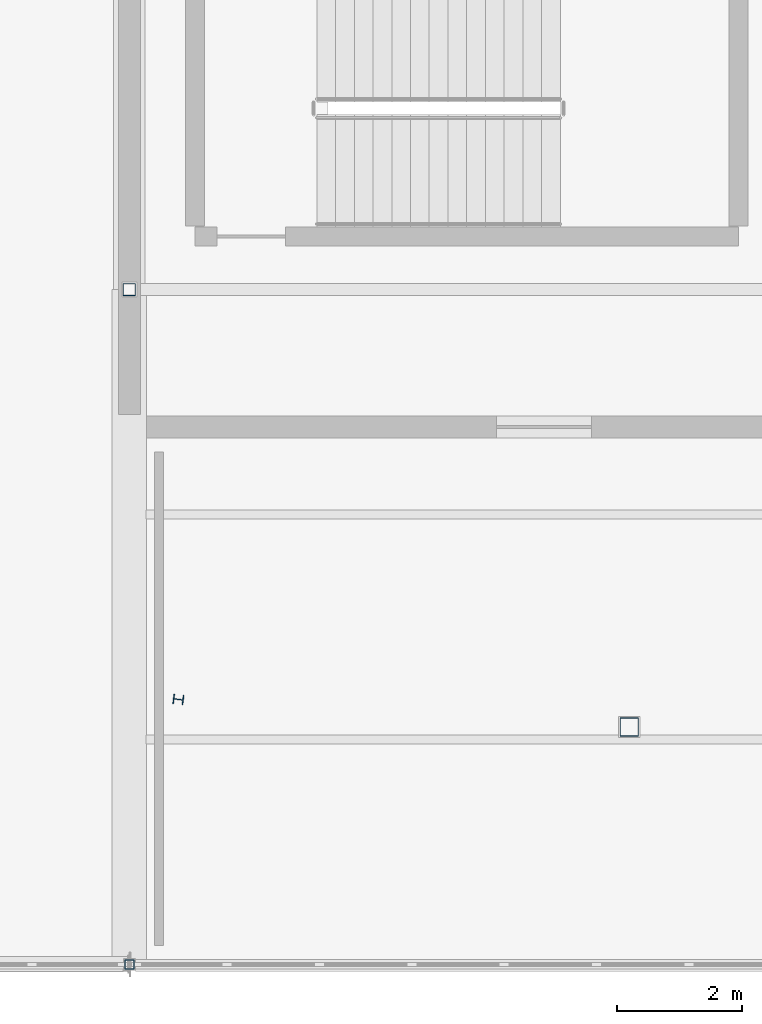
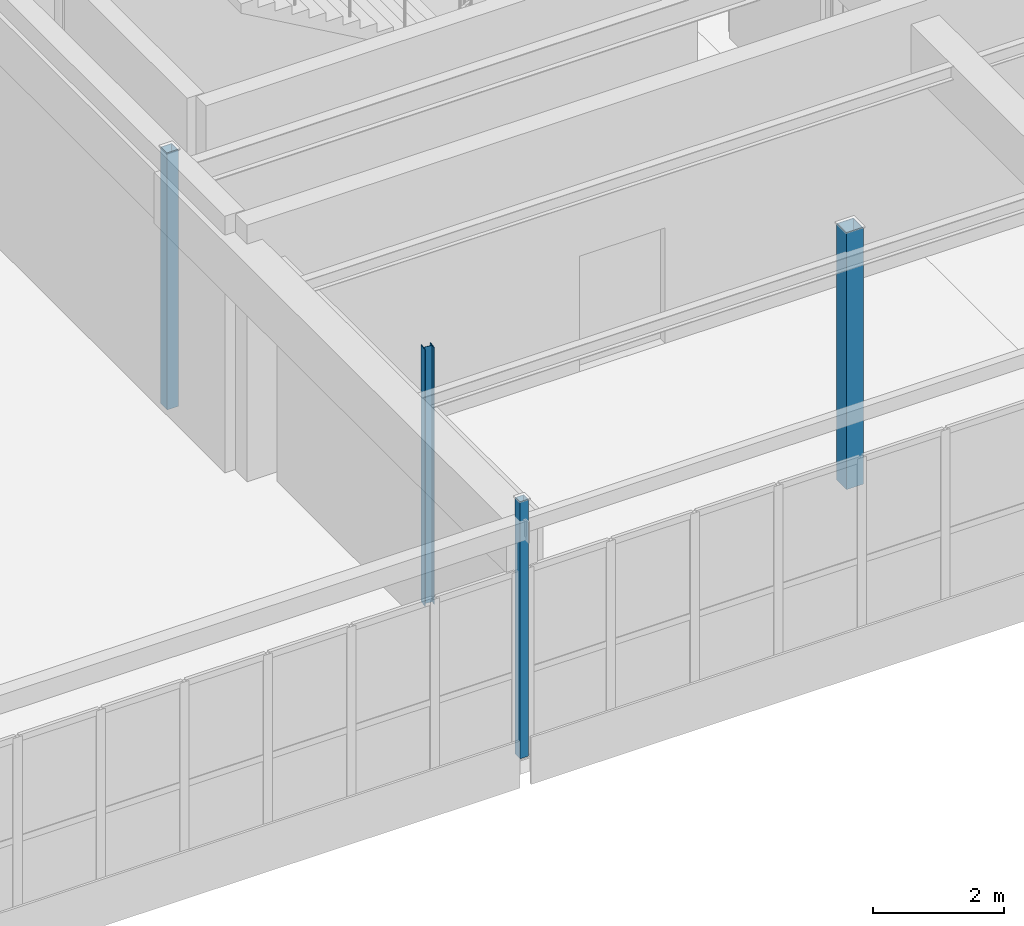
# One storey, part 7 of 226: 4 columns.
"""IFC4 building model written with IfcOpenShell, lengths in metres."""

from ifc_helpers import new_model, si_unit, direction, frame, origin, origin_2d, place, context, subcontext, project, spatial, hollow_rectangle, i_section, extrude, material, material_profile, profile_set, type_object, element, save


model = new_model("IFC4")

# Units and contexts
model_context = context("Model", 3, precision=1e-05, world=origin(), true_north=direction((0.0, 1.0)))
body_context = subcontext(model_context, "Body", "Model", "MODEL_VIEW")
ifc_project = project(units=[si_unit("LENGTHUNIT", "METRE"), si_unit("AREAUNIT", "SQUARE_METRE"), si_unit("VOLUMEUNIT", "CUBIC_METRE"), si_unit("PLANEANGLEUNIT", "RADIAN"), si_unit("MASSUNIT", "GRAM", prefix="KILO")], contexts=[model_context])

# Site, building, storey
site_placement = place(None, origin())
site = spatial("IfcSite", under=ifc_project, at=site_placement, CompositionType="ELEMENT")
building_placement = place(site_placement, origin())
building = spatial("IfcBuilding", under=site, at=building_placement, Name="Tarnwether General Hospital", CompositionType="ELEMENT")
storey_placement = place(building_placement, frame((0.0, 0.0, 4.800048828125)))
storey = spatial("IfcBuildingStorey", under=building, at=storey_placement, Name="L01", CompositionType="ELEMENT", Elevation=4.800048828125)

# Columns
ifc_material_1 = material(Name="Steel Grade C350L0 (350 MPa)", Category="steel")
ifc_material_profile_1 = material_profile(ifc_material_1, hollow_rectangle(XDim=0.199951171875, YDim=0.199951171875, WallThickness=0.010009765625, at=origin_2d()), Name="SHS200x200x10")
ifc_profile_set_1 = profile_set([ifc_material_profile_1], Name="Steel Grade C350L0 (350 MPa)")
column_type_1 = type_object("IfcColumnType", Name="COL-15", PredefinedType="COLUMN", material=ifc_profile_set_1)
column_1_placement = place(storey_placement, frame((84.0, 10.800048828125, 0.0), z_axis=(0.0, 0.0, 1.0), x_axis=(0.0, 1.0, 0.0)))
element("IfcColumn", 1, at=column_1_placement, inside=storey, type_object=column_type_1, Name="Column COLG-L01-8400_1080", PredefinedType="COLUMN", context=body_context, shape_type="SweptSolid", body=[
    extrude(hollow_rectangle(XDim=0.199951171875, YDim=0.199951171875, WallThickness=0.010009765625, at=origin_2d()), origin(), (0.0, 0.0, 1.0), 4.800048828125),
])
ifc_material_2 = material(Name="Steel Grade 350 (350 MPa)", Category="steel")
ifc_material_profile_2 = material_profile(ifc_material_2, i_section(OverallWidth=0.154052734375, OverallDepth=0.162109375, WebThickness=0.008056640625, FlangeThickness=0.011474609375, at=origin_2d()), Name="150UC37.2")
ifc_profile_set_2 = profile_set([ifc_material_profile_2], Name="Steel Grade 350 (350 MPa)")
column_type_2 = type_object("IfcColumnType", Name="COL-28", PredefinedType="COLUMN", material=ifc_profile_set_2)
column_2_placement = place(storey_placement, frame((84.784912109375, 4.240966796875, 0.0), z_axis=(0.0, 0.0, 1.0), x_axis=(0.121869343405, 0.992546151641, 0.0)))
element("IfcColumn", 2, at=column_2_placement, inside=storey, type_object=column_type_2, Name="Column COLG-L01-8478_424", PredefinedType="COLUMN", context=body_context, shape_type="SweptSolid", body=[
    extrude(i_section(OverallWidth=0.154052734375, OverallDepth=0.162109375, WebThickness=0.008056640625, FlangeThickness=0.011474609375, at=origin_2d()), origin(), (0.0, 0.0, 1.0), 4.800048828125),
])
ifc_material_3 = material(Name="Steel Grade C350L0 (350 MPa)", Category="steel")
ifc_material_profile_3 = material_profile(ifc_material_3, hollow_rectangle(XDim=0.300048828125, YDim=0.300048828125, WallThickness=0.012451171875, at=origin_2d()), Name="SHS300x300x12.5")
ifc_profile_set_3 = profile_set([ifc_material_profile_3], Name="Steel Grade C350L0 (350 MPa)")
column_type_3 = type_object("IfcColumnType", Name="COL-30", PredefinedType="COLUMN", material=ifc_profile_set_3)
column_3_placement = place(storey_placement, frame((92.0, 3.800048828125, 0.0), z_axis=(0.0, 0.0, 1.0), x_axis=(0.0, 1.0, 0.0)))
element("IfcColumn", 3, at=column_3_placement, inside=storey, type_object=column_type_3, Name="Column COLG-L01-9200_380", PredefinedType="COLUMN", context=body_context, shape_type="SweptSolid", body=[
    extrude(hollow_rectangle(XDim=0.300048828125, YDim=0.300048828125, WallThickness=0.012451171875, at=origin_2d()), origin(), (0.0, 0.0, 1.0), 4.800048828125),
])
ifc_material_4 = material(Name="Steel Grade C350L0 (350 MPa)", Category="steel")
ifc_material_profile_4 = material_profile(ifc_material_4, hollow_rectangle(XDim=0.14990234375, YDim=0.14990234375, WallThickness=0.008056640625, at=origin_2d()), Name="SHS150x150x8")
ifc_profile_set_4 = profile_set([ifc_material_profile_4], Name="Steel Grade C350L0 (350 MPa)")
column_type_4 = type_object("IfcColumnType", Name="COL-33", PredefinedType="COLUMN", material=ifc_profile_set_4)
column_4_placement = place(storey_placement, frame((84.0, 0.0, 0.0), z_axis=(0.0, 0.0, 1.0), x_axis=(0.0, 1.0, 0.0)))
element("IfcColumn", 4, at=column_4_placement, inside=storey, type_object=column_type_4, Name="Column COLG-L01-8400_0", PredefinedType="COLUMN", context=body_context, shape_type="SweptSolid", body=[
    extrude(hollow_rectangle(XDim=0.14990234375, YDim=0.14990234375, WallThickness=0.008056640625, at=origin_2d()), origin(), (0.0, 0.0, 1.0), 4.800048828125),
])

save(model, "model.ifc")
